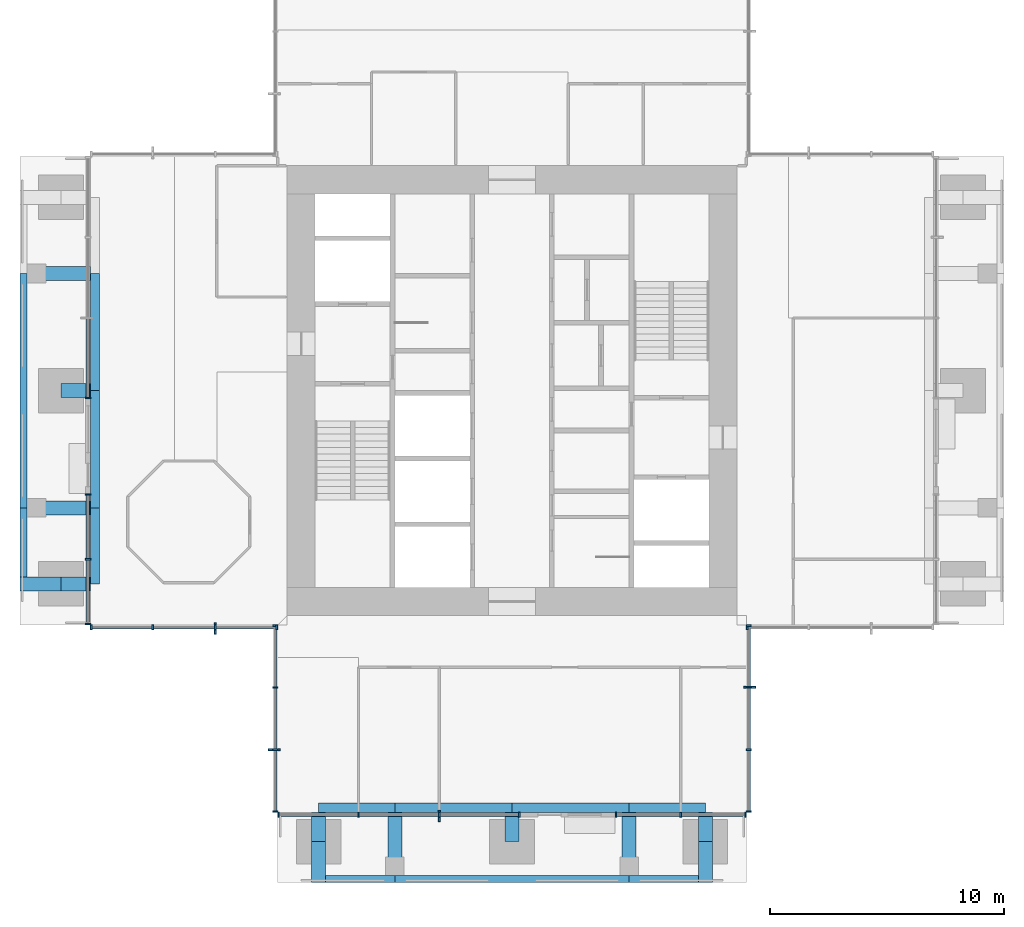
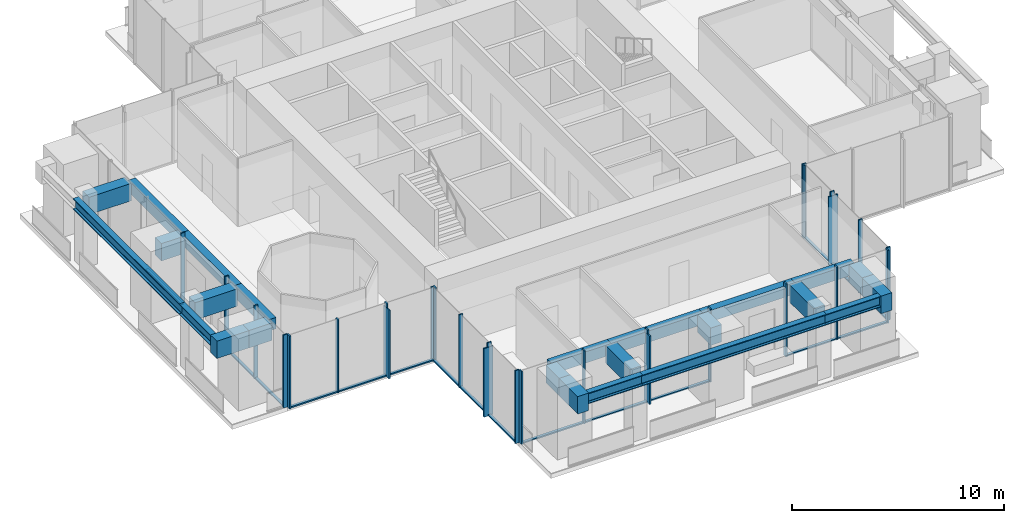
# One storey, part 2 of 12: 45 members, 24 beams, 8 elements without a shape of their own.
"""IFC4 building model written with IfcOpenShell, lengths in metres."""

from ifc_helpers import new_model, si_unit, direction, frame, origin, origin_2d, place, context, subcontext, project, spatial, rectangle, i_section, extrude, material, material_profile, profile_set, type_object, element, aggregate, save


model = new_model("IFC4")

# Units and contexts
model_context = context("Model", 3, precision=1e-05, world=origin(), true_north=direction((0.0, 1.0)))
body_context = subcontext(model_context, "Body", "Model", "MODEL_VIEW")
ifc_project = project(units=[si_unit("LENGTHUNIT", "METRE"), si_unit("AREAUNIT", "SQUARE_METRE"), si_unit("VOLUMEUNIT", "CUBIC_METRE"), si_unit("PLANEANGLEUNIT", "RADIAN"), si_unit("MASSUNIT", "GRAM", prefix="KILO")], contexts=[model_context])

# Site, building, storey
site_placement = place(None, origin())
site = spatial("IfcSite", under=ifc_project, at=site_placement, CompositionType="ELEMENT")
building_placement = place(site_placement, origin())
building = spatial("IfcBuilding", under=site, at=building_placement, Name="Svetlomir Tower", CompositionType="ELEMENT")
storey_placement = place(building_placement, frame((0.0, 0.0, 269.199951171875)))
storey = spatial("IfcBuildingStorey", under=building, at=storey_placement, Name="L64", CompositionType="ELEMENT", Elevation=269.199951171875)

# Curtain wall, member
ifc_material_1 = material(Name="Bronze anodised aluminium curtain wall", Category="aluminium")
curtain_wall_type = type_object("IfcCurtainWallType", Name="CURTAIN WALL CW4 EXECUTIVE", PredefinedType="NOTDEFINED", material=ifc_material_1)
curtain_wall_1_placement = place(storey_placement, origin())
curtain_wall_1 = element("IfcCurtainWall", 1, at=curtain_wall_1_placement, inside=storey, type_object=curtain_wall_type, Name="Curtain wall CW4 L64", PredefinedType="NOTDEFINED")
ifc_material_2 = material(Name="Bronze anodised aluminium", Category="aluminium")
ifc_material_profile_1 = material_profile(ifc_material_2, rectangle(XDim=0.080078125, YDim=0.5, at=origin_2d()), Name="FIN 80x500")
ifc_profile_set_1 = profile_set([ifc_material_profile_1], Name="Bronze anodised aluminium 6063-T6")
member_type_1 = type_object("IfcMemberType", Name="BRONZE FIN 80x500", PredefinedType="USERDEFINED", material=ifc_profile_set_1)
member_1_placement = place(storey_placement, frame((17.89990234375, 2.85009765625, 0.0), z_axis=(0.0, 0.0, 1.0), x_axis=(1.0, 0.0, 0.0)))
member_1 = element("IfcMember", 2, at=member_1_placement, type_object=member_type_1, Name="Bronze fin L64", ObjectType="FIN", PredefinedType="USERDEFINED", context=body_context, shape_type="SweptSolid", body=[
    extrude(rectangle(XDim=0.080078125, YDim=0.5, at=origin_2d()), origin(), (0.0, 0.0, 1.0), 3.949951171875),
])

curtain_wall_2_placement = place(storey_placement, origin())
curtain_wall_2 = element("IfcCurtainWall", 3, at=curtain_wall_2_placement, inside=storey, type_object=curtain_wall_type, Name="Curtain wall CW4 L64", PredefinedType="NOTDEFINED")
member_2_placement = place(storey_placement, frame((31.14990234375, 8.333251953125, 0.0), z_axis=(0.0, 0.0, 1.0), x_axis=(0.0, 1.0, 0.0)))
member_2 = element("IfcMember", 4, at=member_2_placement, type_object=member_type_1, Name="Bronze fin L64", ObjectType="FIN", PredefinedType="USERDEFINED", context=body_context, shape_type="SweptSolid", body=[
    extrude(rectangle(XDim=0.080078125, YDim=0.5, at=origin_2d()), origin(), (0.0, 0.0, 1.0), 3.949951171875),
])

curtain_wall_3_placement = place(storey_placement, origin())
curtain_wall_3 = element("IfcCurtainWall", 5, at=curtain_wall_3_placement, inside=storey, type_object=curtain_wall_type, Name="Curtain wall CW4 L64", PredefinedType="NOTDEFINED")
member_3_placement = place(storey_placement, frame((8.333251953125, 10.85009765625, 0.0), z_axis=(0.0, 0.0, 1.0), x_axis=(1.0, 0.0, 0.0)))
member_3 = element("IfcMember", 6, at=member_3_placement, type_object=member_type_1, Name="Bronze fin L64", ObjectType="FIN", PredefinedType="USERDEFINED", context=body_context, shape_type="SweptSolid", body=[
    extrude(rectangle(XDim=0.080078125, YDim=0.5, at=origin_2d()), origin(), (0.0, 0.0, 1.0), 3.949951171875),
])

curtain_wall_4_placement = place(storey_placement, origin())
curtain_wall_4 = element("IfcCurtainWall", 7, at=curtain_wall_4_placement, inside=storey, type_object=curtain_wall_type, Name="Curtain wall CW4 L64", PredefinedType="NOTDEFINED")
member_4_placement = place(storey_placement, frame((10.85009765625, 5.666748046875, 0.0), z_axis=(0.0, 0.0, 1.0), x_axis=(0.0, 1.0, 0.0)))
member_4 = element("IfcMember", 8, at=member_4_placement, type_object=member_type_1, Name="Bronze fin L64", ObjectType="FIN", PredefinedType="USERDEFINED", context=body_context, shape_type="SweptSolid", body=[
    extrude(rectangle(XDim=0.080078125, YDim=0.5, at=origin_2d()), origin(), (0.0, 0.0, 1.0), 3.949951171875),
])

# Member
ifc_material_3 = material(Name="Bronze anodised aluminium", Category="aluminium")
ifc_material_profile_2 = material_profile(ifc_material_3, rectangle(XDim=0.074951171875, YDim=0.219970703125, at=origin_2d()), Name="AL 75x220")
ifc_profile_set_2 = profile_set([ifc_material_profile_2], Name="Bronze anodised aluminium 6063-T6")
member_type_2 = type_object("IfcMemberType", Name="CW4 MULLION 75x220", PredefinedType="MULLION", material=ifc_profile_set_2)
member_5_placement = place(storey_placement, frame((11.03759765625, 2.89990234375, 0.0), z_axis=(0.0, 0.0, 1.0), x_axis=(1.0, 0.0, 0.0)))
member_5 = element("IfcMember", 9, at=member_5_placement, type_object=member_type_2, Name="CW4 mullion 1", PredefinedType="MULLION", context=body_context, shape_type="SweptSolid", body=[
    extrude(rectangle(XDim=0.074951171875, YDim=0.219970703125, at=origin_2d()), origin(), (0.0, 0.0, 1.0), 4.199951171875),
])

member_6_placement = place(storey_placement, frame((14.449951171875, 2.89990234375, 0.0), z_axis=(0.0, 0.0, 1.0), x_axis=(1.0, 0.0, 0.0)))
member_6 = element("IfcMember", 10, at=member_6_placement, type_object=member_type_2, Name="CW4 mullion 2", PredefinedType="MULLION", context=body_context, shape_type="SweptSolid", body=[
    extrude(rectangle(XDim=0.074951171875, YDim=0.219970703125, at=origin_2d()), origin(), (0.0, 0.0, 1.0), 4.199951171875),
])

member_7_placement = place(storey_placement, frame((17.89990234375, 2.89990234375, 0.0), z_axis=(0.0, 0.0, 1.0), x_axis=(1.0, 0.0, 0.0)))
member_7 = element("IfcMember", 11, at=member_7_placement, type_object=member_type_2, Name="CW4 mullion 3", PredefinedType="MULLION", context=body_context, shape_type="SweptSolid", body=[
    extrude(rectangle(XDim=0.074951171875, YDim=0.219970703125, at=origin_2d()), origin(), (0.0, 0.0, 1.0), 4.199951171875),
])

member_8_placement = place(storey_placement, frame((21.3125, 2.89990234375, 0.0), z_axis=(0.0, 0.0, 1.0), x_axis=(1.0, 0.0, 0.0)))
member_8 = element("IfcMember", 12, at=member_8_placement, type_object=member_type_2, Name="CW4 mullion 4", PredefinedType="MULLION", context=body_context, shape_type="SweptSolid", body=[
    extrude(rectangle(XDim=0.074951171875, YDim=0.219970703125, at=origin_2d()), origin(), (0.0, 0.0, 1.0), 4.199951171875),
])

# Curtain wall, members
curtain_wall_5_placement = place(storey_placement, origin())
curtain_wall_5 = element("IfcCurtainWall", 13, at=curtain_wall_5_placement, inside=storey, type_object=curtain_wall_type, Name="Curtain wall CW4 L64", PredefinedType="NOTDEFINED")
member_9_placement = place(storey_placement, frame((25.4375, 2.89990234375, 0.0), z_axis=(0.0, 0.0, 1.0), x_axis=(1.0, 0.0, 0.0)))
member_9 = element("IfcMember", 14, at=member_9_placement, type_object=member_type_2, Name="CW4 mullion 1", PredefinedType="MULLION", context=body_context, shape_type="SweptSolid", body=[
    extrude(rectangle(XDim=0.074951171875, YDim=0.219970703125, at=origin_2d()), origin(), (0.0, 0.0, 1.0), 4.199951171875),
])
member_10_placement = place(storey_placement, frame((28.199951171875, 2.89990234375, 0.0), z_axis=(0.0, 0.0, 1.0), x_axis=(1.0, 0.0, 0.0)))
member_10 = element("IfcMember", 15, at=member_10_placement, type_object=member_type_2, Name="CW4 mullion 2", PredefinedType="MULLION", context=body_context, shape_type="SweptSolid", body=[
    extrude(rectangle(XDim=0.074951171875, YDim=0.219970703125, at=origin_2d()), origin(), (0.0, 0.0, 1.0), 4.199951171875),
])
member_11_placement = place(storey_placement, frame((30.96240234375, 2.89990234375, 0.0), z_axis=(0.0, 0.0, 1.0), x_axis=(1.0, 0.0, 0.0)))
member_11 = element("IfcMember", 16, at=member_11_placement, type_object=member_type_2, Name="CW4 mullion 3", PredefinedType="MULLION", context=body_context, shape_type="SweptSolid", body=[
    extrude(rectangle(XDim=0.074951171875, YDim=0.219970703125, at=origin_2d()), origin(), (0.0, 0.0, 1.0), 4.199951171875),
])

# Member
member_12_placement = place(storey_placement, frame((31.10009765625, 3.03759765625, 0.0), z_axis=(0.0, 0.0, 1.0), x_axis=(0.0, 1.0, 0.0)))
member_12 = element("IfcMember", 17, at=member_12_placement, type_object=member_type_2, Name="CW4 mullion 1", PredefinedType="MULLION", context=body_context, shape_type="SweptSolid", body=[
    extrude(rectangle(XDim=0.074951171875, YDim=0.219970703125, at=origin_2d()), origin(), (0.0, 0.0, 1.0), 4.199951171875),
])

member_13_placement = place(storey_placement, frame((31.10009765625, 5.666748046875, 0.0), z_axis=(0.0, 0.0, 1.0), x_axis=(0.0, 1.0, 0.0)))
member_13 = element("IfcMember", 18, at=member_13_placement, type_object=member_type_2, Name="CW4 mullion 2", PredefinedType="MULLION", context=body_context, shape_type="SweptSolid", body=[
    extrude(rectangle(XDim=0.074951171875, YDim=0.219970703125, at=origin_2d()), origin(), (0.0, 0.0, 1.0), 4.199951171875),
])

member_14_placement = place(storey_placement, frame((31.10009765625, 8.333251953125, 0.0), z_axis=(0.0, 0.0, 1.0), x_axis=(0.0, 1.0, 0.0)))
member_14 = element("IfcMember", 19, at=member_14_placement, type_object=member_type_2, Name="CW4 mullion 3", PredefinedType="MULLION", context=body_context, shape_type="SweptSolid", body=[
    extrude(rectangle(XDim=0.074951171875, YDim=0.219970703125, at=origin_2d()), origin(), (0.0, 0.0, 1.0), 4.199951171875),
])

member_15_placement = place(storey_placement, frame((31.10009765625, 10.96240234375, 0.0), z_axis=(0.0, 0.0, 1.0), x_axis=(0.0, 1.0, 0.0)))
member_15 = element("IfcMember", 20, at=member_15_placement, type_object=member_type_2, Name="CW4 mullion 4", PredefinedType="MULLION", context=body_context, shape_type="SweptSolid", body=[
    extrude(rectangle(XDim=0.074951171875, YDim=0.219970703125, at=origin_2d()), origin(), (0.0, 0.0, 1.0), 4.199951171875),
])

# Curtain wall, member
curtain_wall_6_placement = place(storey_placement, origin())
curtain_wall_6 = element("IfcCurtainWall", 21, at=curtain_wall_6_placement, inside=storey, type_object=curtain_wall_type, Name="Curtain wall CW4 L64", PredefinedType="NOTDEFINED")
member_16_placement = place(storey_placement, frame((31.03759765625, 10.89990234375, 0.0), z_axis=(0.0, 0.0, 1.0), x_axis=(1.0, 0.0, 0.0)))
member_16 = element("IfcMember", 22, at=member_16_placement, type_object=member_type_2, Name="CW4 mullion 1", PredefinedType="MULLION", context=body_context, shape_type="SweptSolid", body=[
    extrude(rectangle(XDim=0.074951171875, YDim=0.219970703125, at=origin_2d()), origin(), (0.0, 0.0, 1.0), 4.199951171875),
])
aggregate(curtain_wall_6, [member_16])

curtain_wall_7_placement = place(storey_placement, origin())
curtain_wall_7 = element("IfcCurtainWall", 23, at=curtain_wall_7_placement, inside=storey, type_object=curtain_wall_type, Name="Curtain wall CW4 L64", PredefinedType="NOTDEFINED")
member_17_placement = place(storey_placement, frame((2.89990234375, 20.6875, 0.0), z_axis=(0.0, 0.0, 1.0), x_axis=(0.0, -1.0, 0.0)))
member_17 = element("IfcMember", 24, at=member_17_placement, type_object=member_type_2, Name="CW4 mullion 4", PredefinedType="MULLION", context=body_context, shape_type="SweptSolid", body=[
    extrude(rectangle(XDim=0.074951171875, YDim=0.219970703125, at=origin_2d()), origin(), (0.0, 0.0, 1.0), 4.199951171875),
])

# Curtain wall, members
curtain_wall_8_placement = place(storey_placement, origin())
curtain_wall_8 = element("IfcCurtainWall", 25, at=curtain_wall_8_placement, inside=storey, type_object=curtain_wall_type, Name="Curtain wall CW4 L64", PredefinedType="NOTDEFINED")
member_18_placement = place(storey_placement, frame((2.89990234375, 16.5625, 0.0), z_axis=(0.0, 0.0, 1.0), x_axis=(0.0, -1.0, 0.0)))
member_18 = element("IfcMember", 26, at=member_18_placement, type_object=member_type_2, Name="CW4 mullion 1", PredefinedType="MULLION", context=body_context, shape_type="SweptSolid", body=[
    extrude(rectangle(XDim=0.074951171875, YDim=0.219970703125, at=origin_2d()), origin(), (0.0, 0.0, 1.0), 4.199951171875),
])
member_19_placement = place(storey_placement, frame((2.89990234375, 13.800048828125, 0.0), z_axis=(0.0, 0.0, 1.0), x_axis=(0.0, -1.0, 0.0)))
member_19 = element("IfcMember", 27, at=member_19_placement, type_object=member_type_2, Name="CW4 mullion 2", PredefinedType="MULLION", context=body_context, shape_type="SweptSolid", body=[
    extrude(rectangle(XDim=0.074951171875, YDim=0.219970703125, at=origin_2d()), origin(), (0.0, 0.0, 1.0), 4.199951171875),
])
member_20_placement = place(storey_placement, frame((2.89990234375, 11.03759765625, 0.0), z_axis=(0.0, 0.0, 1.0), x_axis=(0.0, -1.0, 0.0)))
member_20 = element("IfcMember", 28, at=member_20_placement, type_object=member_type_2, Name="CW4 mullion 3", PredefinedType="MULLION", context=body_context, shape_type="SweptSolid", body=[
    extrude(rectangle(XDim=0.074951171875, YDim=0.219970703125, at=origin_2d()), origin(), (0.0, 0.0, 1.0), 4.199951171875),
])

# Member
member_21_placement = place(storey_placement, frame((3.03759765625, 10.89990234375, 0.0), z_axis=(0.0, 0.0, 1.0), x_axis=(1.0, 0.0, 0.0)))
member_21 = element("IfcMember", 29, at=member_21_placement, type_object=member_type_2, Name="CW4 mullion 1", PredefinedType="MULLION", context=body_context, shape_type="SweptSolid", body=[
    extrude(rectangle(XDim=0.074951171875, YDim=0.219970703125, at=origin_2d()), origin(), (0.0, 0.0, 1.0), 4.199951171875),
])

member_22_placement = place(storey_placement, frame((5.666748046875, 10.89990234375, 0.0), z_axis=(0.0, 0.0, 1.0), x_axis=(1.0, 0.0, 0.0)))
member_22 = element("IfcMember", 30, at=member_22_placement, type_object=member_type_2, Name="CW4 mullion 2", PredefinedType="MULLION", context=body_context, shape_type="SweptSolid", body=[
    extrude(rectangle(XDim=0.074951171875, YDim=0.219970703125, at=origin_2d()), origin(), (0.0, 0.0, 1.0), 4.199951171875),
])

member_23_placement = place(storey_placement, frame((8.333251953125, 10.89990234375, 0.0), z_axis=(0.0, 0.0, 1.0), x_axis=(1.0, 0.0, 0.0)))
member_23 = element("IfcMember", 31, at=member_23_placement, type_object=member_type_2, Name="CW4 mullion 3", PredefinedType="MULLION", context=body_context, shape_type="SweptSolid", body=[
    extrude(rectangle(XDim=0.074951171875, YDim=0.219970703125, at=origin_2d()), origin(), (0.0, 0.0, 1.0), 4.199951171875),
])

member_24_placement = place(storey_placement, frame((10.96240234375, 10.89990234375, 0.0), z_axis=(0.0, 0.0, 1.0), x_axis=(1.0, 0.0, 0.0)))
member_24 = element("IfcMember", 32, at=member_24_placement, type_object=member_type_2, Name="CW4 mullion 4", PredefinedType="MULLION", context=body_context, shape_type="SweptSolid", body=[
    extrude(rectangle(XDim=0.074951171875, YDim=0.219970703125, at=origin_2d()), origin(), (0.0, 0.0, 1.0), 4.199951171875),
])

member_25_placement = place(storey_placement, frame((10.89990234375, 10.96240234375, 0.0), z_axis=(0.0, 0.0, 1.0), x_axis=(0.0, -1.0, 0.0)))
member_25 = element("IfcMember", 33, at=member_25_placement, type_object=member_type_2, Name="CW4 mullion 1", PredefinedType="MULLION", context=body_context, shape_type="SweptSolid", body=[
    extrude(rectangle(XDim=0.074951171875, YDim=0.219970703125, at=origin_2d()), origin(), (0.0, 0.0, 1.0), 4.199951171875),
])

member_26_placement = place(storey_placement, frame((10.89990234375, 8.333251953125, 0.0), z_axis=(0.0, 0.0, 1.0), x_axis=(0.0, -1.0, 0.0)))
member_26 = element("IfcMember", 34, at=member_26_placement, type_object=member_type_2, Name="CW4 mullion 2", PredefinedType="MULLION", context=body_context, shape_type="SweptSolid", body=[
    extrude(rectangle(XDim=0.074951171875, YDim=0.219970703125, at=origin_2d()), origin(), (0.0, 0.0, 1.0), 4.199951171875),
])

member_27_placement = place(storey_placement, frame((10.89990234375, 5.666748046875, 0.0), z_axis=(0.0, 0.0, 1.0), x_axis=(0.0, -1.0, 0.0)))
member_27 = element("IfcMember", 35, at=member_27_placement, type_object=member_type_2, Name="CW4 mullion 3", PredefinedType="MULLION", context=body_context, shape_type="SweptSolid", body=[
    extrude(rectangle(XDim=0.074951171875, YDim=0.219970703125, at=origin_2d()), origin(), (0.0, 0.0, 1.0), 4.199951171875),
])

member_28_placement = place(storey_placement, frame((10.89990234375, 3.03759765625, 0.0), z_axis=(0.0, 0.0, 1.0), x_axis=(0.0, -1.0, 0.0)))
member_28 = element("IfcMember", 36, at=member_28_placement, type_object=member_type_2, Name="CW4 mullion 4", PredefinedType="MULLION", context=body_context, shape_type="SweptSolid", body=[
    extrude(rectangle(XDim=0.074951171875, YDim=0.219970703125, at=origin_2d()), origin(), (0.0, 0.0, 1.0), 4.199951171875),
])

ifc_material_4 = material(Name="Bronze anodised aluminium", Category="aluminium")
ifc_material_profile_3 = material_profile(ifc_material_4, rectangle(XDim=0.14990234375, YDim=0.074951171875, at=origin_2d()), Name="AL 150x75")
ifc_profile_set_3 = profile_set([ifc_material_profile_3], Name="Bronze anodised aluminium 6063-T6")
member_type_3 = type_object("IfcMemberType", Name="CW4 TRANSOM 75x150", PredefinedType="USERDEFINED", material=ifc_profile_set_3)
member_29_placement = place(storey_placement, frame((11.074951171875, 2.89990234375, 0.03759765625), z_axis=(1.0, 0.0, 0.0), x_axis=(0.0, 1.0, 0.0)))
member_29 = element("IfcMember", 37, at=member_29_placement, type_object=member_type_3, Name="CW4 transom 1.1", ObjectType="TRANSOM", PredefinedType="USERDEFINED", context=body_context, shape_type="SweptSolid", body=[
    extrude(rectangle(XDim=0.14990234375, YDim=0.074951171875, at=origin_2d()), origin(), (0.0, 0.0, 1.0), 3.337646484375),
])

member_30_placement = place(storey_placement, frame((14.487548828125, 2.89990234375, 0.03759765625), z_axis=(1.0, 0.0, 0.0), x_axis=(0.0, 1.0, 0.0)))
member_30 = element("IfcMember", 38, at=member_30_placement, type_object=member_type_3, Name="CW4 transom 2.1", ObjectType="TRANSOM", PredefinedType="USERDEFINED", context=body_context, shape_type="SweptSolid", body=[
    extrude(rectangle(XDim=0.14990234375, YDim=0.074951171875, at=origin_2d()), origin(), (0.0, 0.0, 1.0), 3.375),
])

member_31_placement = place(storey_placement, frame((17.9375, 2.89990234375, 0.03759765625), z_axis=(1.0, 0.0, 0.0), x_axis=(0.0, 1.0, 0.0)))
member_31 = element("IfcMember", 39, at=member_31_placement, type_object=member_type_3, Name="CW4 transom 3.1", ObjectType="TRANSOM", PredefinedType="USERDEFINED", context=body_context, shape_type="SweptSolid", body=[
    extrude(rectangle(XDim=0.14990234375, YDim=0.074951171875, at=origin_2d()), origin(), (0.0, 0.0, 1.0), 3.33740234375),
])

aggregate(curtain_wall_1, [member_5, member_6, member_7, member_8, member_29, member_30, member_31, member_1])

member_32_placement = place(storey_placement, frame((25.47509765625, 2.89990234375, 0.03759765625), z_axis=(1.0, 0.0, 0.0), x_axis=(0.0, 1.0, 0.0)))
member_32 = element("IfcMember", 40, at=member_32_placement, type_object=member_type_3, Name="CW4 transom 1.1", ObjectType="TRANSOM", PredefinedType="USERDEFINED", context=body_context, shape_type="SweptSolid", body=[
    extrude(rectangle(XDim=0.14990234375, YDim=0.074951171875, at=origin_2d()), origin(), (0.0, 0.0, 1.0), 2.6875),
])

member_33_placement = place(storey_placement, frame((28.237548828125, 2.89990234375, 0.03759765625), z_axis=(1.0, 0.0, 0.0), x_axis=(0.0, 1.0, 0.0)))
member_33 = element("IfcMember", 41, at=member_33_placement, type_object=member_type_3, Name="CW4 transom 2.1", ObjectType="TRANSOM", PredefinedType="USERDEFINED", context=body_context, shape_type="SweptSolid", body=[
    extrude(rectangle(XDim=0.14990234375, YDim=0.074951171875, at=origin_2d()), origin(), (0.0, 0.0, 1.0), 2.6875),
])

aggregate(curtain_wall_5, [member_9, member_10, member_11, member_32, member_33])

member_34_placement = place(storey_placement, frame((31.10009765625, 3.074951171875, 0.03759765625), z_axis=(0.0, 1.0, 0.0), x_axis=(-1.0, 0.0, 0.0)))
member_34 = element("IfcMember", 42, at=member_34_placement, type_object=member_type_3, Name="CW4 transom 1.1", ObjectType="TRANSOM", PredefinedType="USERDEFINED", context=body_context, shape_type="SweptSolid", body=[
    extrude(rectangle(XDim=0.14990234375, YDim=0.074951171875, at=origin_2d()), origin(), (0.0, 0.0, 1.0), 2.55419921875),
])

member_35_placement = place(storey_placement, frame((31.10009765625, 5.7041015625, 0.03759765625), z_axis=(0.0, 1.0, 0.0), x_axis=(-1.0, 0.0, 0.0)))
member_35 = element("IfcMember", 43, at=member_35_placement, type_object=member_type_3, Name="CW4 transom 2.1", ObjectType="TRANSOM", PredefinedType="USERDEFINED", context=body_context, shape_type="SweptSolid", body=[
    extrude(rectangle(XDim=0.14990234375, YDim=0.074951171875, at=origin_2d()), origin(), (0.0, 0.0, 1.0), 2.591796875),
])

member_36_placement = place(storey_placement, frame((31.10009765625, 8.370849609375, 0.03759765625), z_axis=(0.0, 1.0, 0.0), x_axis=(-1.0, 0.0, 0.0)))
member_36 = element("IfcMember", 44, at=member_36_placement, type_object=member_type_3, Name="CW4 transom 3.1", ObjectType="TRANSOM", PredefinedType="USERDEFINED", context=body_context, shape_type="SweptSolid", body=[
    extrude(rectangle(XDim=0.14990234375, YDim=0.074951171875, at=origin_2d()), origin(), (0.0, 0.0, 1.0), 2.55419921875),
])

aggregate(curtain_wall_2, [member_12, member_13, member_14, member_15, member_34, member_35, member_36, member_2])

member_37_placement = place(storey_placement, frame((2.89990234375, 24.0625, 0.03759765625), z_axis=(0.0, -1.0, 0.0), x_axis=(1.0, 0.0, 0.0)))
member_37 = element("IfcMember", 45, at=member_37_placement, type_object=member_type_3, Name="CW4 transom 3.1", ObjectType="TRANSOM", PredefinedType="USERDEFINED", context=body_context, shape_type="SweptSolid", body=[
    extrude(rectangle(XDim=0.14990234375, YDim=0.074951171875, at=origin_2d()), origin(), (0.0, 0.0, 1.0), 3.33740234375),
])

aggregate(curtain_wall_7, [member_17, member_37])

member_38_placement = place(storey_placement, frame((2.89990234375, 16.52490234375, 0.03759765625), z_axis=(0.0, -1.0, 0.0), x_axis=(1.0, 0.0, 0.0)))
member_38 = element("IfcMember", 46, at=member_38_placement, type_object=member_type_3, Name="CW4 transom 1.1", ObjectType="TRANSOM", PredefinedType="USERDEFINED", context=body_context, shape_type="SweptSolid", body=[
    extrude(rectangle(XDim=0.14990234375, YDim=0.074951171875, at=origin_2d()), origin(), (0.0, 0.0, 1.0), 2.6875),
])

member_39_placement = place(storey_placement, frame((2.89990234375, 13.762451171875, 0.03759765625), z_axis=(0.0, -1.0, 0.0), x_axis=(1.0, 0.0, 0.0)))
member_39 = element("IfcMember", 47, at=member_39_placement, type_object=member_type_3, Name="CW4 transom 2.1", ObjectType="TRANSOM", PredefinedType="USERDEFINED", context=body_context, shape_type="SweptSolid", body=[
    extrude(rectangle(XDim=0.14990234375, YDim=0.074951171875, at=origin_2d()), origin(), (0.0, 0.0, 1.0), 2.6875),
])

aggregate(curtain_wall_8, [member_18, member_19, member_20, member_38, member_39])

member_40_placement = place(storey_placement, frame((3.074951171875, 10.89990234375, 0.03759765625), z_axis=(1.0, 0.0, 0.0), x_axis=(0.0, 1.0, 0.0)))
member_40 = element("IfcMember", 48, at=member_40_placement, type_object=member_type_3, Name="CW4 transom 1.1", ObjectType="TRANSOM", PredefinedType="USERDEFINED", context=body_context, shape_type="SweptSolid", body=[
    extrude(rectangle(XDim=0.14990234375, YDim=0.074951171875, at=origin_2d()), origin(), (0.0, 0.0, 1.0), 2.55419921875),
])

member_41_placement = place(storey_placement, frame((5.7041015625, 10.89990234375, 0.03759765625), z_axis=(1.0, 0.0, 0.0), x_axis=(0.0, 1.0, 0.0)))
member_41 = element("IfcMember", 49, at=member_41_placement, type_object=member_type_3, Name="CW4 transom 2.1", ObjectType="TRANSOM", PredefinedType="USERDEFINED", context=body_context, shape_type="SweptSolid", body=[
    extrude(rectangle(XDim=0.14990234375, YDim=0.074951171875, at=origin_2d()), origin(), (0.0, 0.0, 1.0), 2.591796875),
])

member_42_placement = place(storey_placement, frame((8.370849609375, 10.89990234375, 0.03759765625), z_axis=(1.0, 0.0, 0.0), x_axis=(0.0, 1.0, 0.0)))
member_42 = element("IfcMember", 50, at=member_42_placement, type_object=member_type_3, Name="CW4 transom 3.1", ObjectType="TRANSOM", PredefinedType="USERDEFINED", context=body_context, shape_type="SweptSolid", body=[
    extrude(rectangle(XDim=0.14990234375, YDim=0.074951171875, at=origin_2d()), origin(), (0.0, 0.0, 1.0), 2.55419921875),
])

aggregate(curtain_wall_3, [member_21, member_22, member_23, member_24, member_40, member_41, member_42, member_3])

member_43_placement = place(storey_placement, frame((10.89990234375, 10.925048828125, 0.03759765625), z_axis=(0.0, -1.0, 0.0), x_axis=(1.0, 0.0, 0.0)))
member_43 = element("IfcMember", 51, at=member_43_placement, type_object=member_type_3, Name="CW4 transom 1.1", ObjectType="TRANSOM", PredefinedType="USERDEFINED", context=body_context, shape_type="SweptSolid", body=[
    extrude(rectangle(XDim=0.14990234375, YDim=0.074951171875, at=origin_2d()), origin(), (0.0, 0.0, 1.0), 2.55419921875),
])

member_44_placement = place(storey_placement, frame((10.89990234375, 8.2958984375, 0.03759765625), z_axis=(0.0, -1.0, 0.0), x_axis=(1.0, 0.0, 0.0)))
member_44 = element("IfcMember", 52, at=member_44_placement, type_object=member_type_3, Name="CW4 transom 2.1", ObjectType="TRANSOM", PredefinedType="USERDEFINED", context=body_context, shape_type="SweptSolid", body=[
    extrude(rectangle(XDim=0.14990234375, YDim=0.074951171875, at=origin_2d()), origin(), (0.0, 0.0, 1.0), 2.591796875),
])

member_45_placement = place(storey_placement, frame((10.89990234375, 5.629150390625, 0.03759765625), z_axis=(0.0, -1.0, 0.0), x_axis=(1.0, 0.0, 0.0)))
member_45 = element("IfcMember", 53, at=member_45_placement, type_object=member_type_3, Name="CW4 transom 3.1", ObjectType="TRANSOM", PredefinedType="USERDEFINED", context=body_context, shape_type="SweptSolid", body=[
    extrude(rectangle(XDim=0.14990234375, YDim=0.074951171875, at=origin_2d()), origin(), (0.0, 0.0, 1.0), 2.55419921875),
])

aggregate(curtain_wall_4, [member_25, member_26, member_27, member_28, member_43, member_44, member_45, member_4])

# Beams
ifc_material_5 = material(Name="Steel S355", Category="steel")
ifc_material_profile_4 = material_profile(ifc_material_5, i_section(OverallWidth=0.304931640625, OverallDepth=0.6201171875, WebThickness=0.02099609375, FlangeThickness=0.0400390625, FilletRadius=0.027099609375, at=origin_2d()), Name="HEM 600")
ifc_profile_set_4 = profile_set([ifc_material_profile_4], Name="Steel S355")
beam_type_1 = type_object("IfcBeamType", Name="EDGE BEAM HEM 600", PredefinedType="SPANDREL", material=ifc_profile_set_4)
for number, where, z_axis, x_axis, name in (
    (54, (13.050048828125, 0.152587890625, 3.64013671875), (1.0, 0.0, 0.0), (0.0, 1.0, 0.0), "Edge beam 11/0 to 16/0 under L65"),
    (55, (0.152587890625, 13.050048828125, 3.64013671875), (0.0, 1.0, 0.0), (-1.0, 0.0, 0.0), "Edge beam 0/11 to 0/16 under L65"),
):
    element("IfcBeam", number, at=place(storey_placement, frame(where, z_axis=z_axis, x_axis=x_axis)), inside=storey, type_object=beam_type_1, Name=name, PredefinedType="SPANDREL", context=body_context, shape_type="SweptSolid", body=[
        extrude(i_section(OverallWidth=0.304931640625, OverallDepth=0.6201171875, WebThickness=0.02099609375, FlangeThickness=0.0400390625, FilletRadius=0.027099609375, at=origin_2d()), origin(), (0.0, 0.0, 1.0), 2.949951171875),
    ])
for number, where, z_axis, x_axis, name in (
    (56, (16.0, 0.152587890625, 3.64013671875), (1.0, 0.0, 0.0), (0.0, 1.0, 0.0), "Edge beam 16/0 to 26/0 under L65"),
    (57, (0.152587890625, 16.0, 3.64013671875), (0.0, 1.0, 0.0), (-1.0, 0.0, 0.0), "Edge beam 0/16 to 0/26 under L65"),
):
    element("IfcBeam", number, at=place(storey_placement, frame(where, z_axis=z_axis, x_axis=x_axis)), inside=storey, type_object=beam_type_1, Name=name, PredefinedType="SPANDREL", context=body_context, shape_type="SweptSolid", body=[
        extrude(i_section(OverallWidth=0.304931640625, OverallDepth=0.6201171875, WebThickness=0.02099609375, FlangeThickness=0.0400390625, FilletRadius=0.027099609375, at=origin_2d()), origin(), (0.0, 0.0, 1.0), 10.0),
    ])
beam_1_placement = place(storey_placement, frame((26.0, 0.152587890625, 3.64013671875), z_axis=(1.0, 0.0, 0.0), x_axis=(0.0, 1.0, 0.0)))
element("IfcBeam", 58, at=beam_1_placement, inside=storey, type_object=beam_type_1, Name="Edge beam 26/0 to 31/0 under L65", PredefinedType="SPANDREL", context=body_context, shape_type="SweptSolid", body=[
    extrude(i_section(OverallWidth=0.304931640625, OverallDepth=0.6201171875, WebThickness=0.02099609375, FlangeThickness=0.0400390625, FilletRadius=0.027099609375, at=origin_2d()), origin(), (0.0, 0.0, 1.0), 2.949951171875),
])
ifc_material_6 = material(Name="Concrete C60/75", Category="concrete")
ifc_material_profile_5 = material_profile(ifc_material_6, rectangle(XDim=0.60009765625, YDim=1.0, at=origin_2d()), Name="RC 600x1000")
ifc_profile_set_5 = profile_set([ifc_material_profile_5], Name="Concrete C60/75")
beam_type_2 = type_object("IfcBeamType", Name="EDGE LINK BEAM RC 600x1000", PredefinedType="BEAM", material=ifc_profile_set_5)
for number, where, z_axis, x_axis, name in (
    (59, (1.75, 12.75, 3.449951171875), (-1.0, 0.0, 0.0), (0.0, -1.0, 0.0), "Edge link beam W 0/11 under L65"),
    (60, (12.75, 1.75, 3.449951171875), (0.0, -1.0, 0.0), (1.0, 0.0, 0.0), "Edge link beam S 11/0 under L65"),
    (61, (29.25, 1.75, 3.449951171875), (0.0, -1.0, 0.0), (1.0, 0.0, 0.0), "Edge link beam S 31/0 under L65"),
):
    element("IfcBeam", number, at=place(storey_placement, frame(where, z_axis=z_axis, x_axis=x_axis)), inside=storey, type_object=beam_type_2, Name=name, PredefinedType="BEAM", context=body_context, shape_type="SweptSolid", body=[
        extrude(rectangle(XDim=0.60009765625, YDim=1.0, at=origin_2d()), origin(), (0.0, 0.0, 1.0), 1.75),
    ])
ifc_material_7 = material(Name="Concrete C60/75", Category="concrete")
ifc_material_profile_6 = material_profile(ifc_material_7, rectangle(XDim=0.39990234375, YDim=0.64990234375, at=origin_2d()), Name="RC 400x650")
ifc_profile_set_6 = profile_set([ifc_material_profile_6], Name="Concrete C60/75")
beam_type_3 = type_object("IfcBeamType", Name="FACADE EDGE BEAM RC 400x650", PredefinedType="BEAM", material=ifc_profile_set_6)
beam_2_placement = place(storey_placement, frame((12.75, 3.199951171875, 3.625), z_axis=(1.0, 0.0, 0.0), x_axis=(0.0, 1.0, 0.0)))
element("IfcBeam", 62, at=beam_2_placement, inside=storey, type_object=beam_type_3, Name="Facade edge beam S 11 to 16 under L65", PredefinedType="BEAM", context=body_context, shape_type="SweptSolid", body=[
    extrude(rectangle(XDim=0.39990234375, YDim=0.64990234375, at=origin_2d()), origin(), (0.0, 0.0, 1.0), 3.25),
])
for number, where, z_axis, x_axis, name in (
    (63, (16.0, 3.199951171875, 3.625), (1.0, 0.0, 0.0), (0.0, 1.0, 0.0), "Facade edge beam S 16 to 21 under L65"),
    (64, (21.0, 3.199951171875, 3.625), (1.0, 0.0, 0.0), (0.0, 1.0, 0.0), "Facade edge beam S 21 to 26 under L65"),
):
    element("IfcBeam", number, at=place(storey_placement, frame(where, z_axis=z_axis, x_axis=x_axis)), inside=storey, type_object=beam_type_3, Name=name, PredefinedType="BEAM", context=body_context, shape_type="SweptSolid", body=[
        extrude(rectangle(XDim=0.39990234375, YDim=0.64990234375, at=origin_2d()), origin(), (0.0, 0.0, 1.0), 5.0),
    ])
for number, where, z_axis, x_axis, name in (
    (65, (26.0, 3.199951171875, 3.625), (1.0, 0.0, 0.0), (0.0, 1.0, 0.0), "Facade edge beam S 26 to 31 under L65"),
    (66, (3.199951171875, 12.75, 3.625), (0.0, 1.0, 0.0), (-1.0, 0.0, 0.0), "Facade edge beam W 11 to 16 under L65"),
):
    element("IfcBeam", number, at=place(storey_placement, frame(where, z_axis=z_axis, x_axis=x_axis)), inside=storey, type_object=beam_type_3, Name=name, PredefinedType="BEAM", context=body_context, shape_type="SweptSolid", body=[
        extrude(rectangle(XDim=0.39990234375, YDim=0.64990234375, at=origin_2d()), origin(), (0.0, 0.0, 1.0), 3.25),
    ])
for number, where, z_axis, x_axis, name in (
    (67, (3.199951171875, 16.0, 3.625), (0.0, 1.0, 0.0), (-1.0, 0.0, 0.0), "Facade edge beam W 16 to 21 under L65"),
    (68, (3.199951171875, 21.0, 3.625), (0.0, 1.0, 0.0), (-1.0, 0.0, 0.0), "Facade edge beam W 21 to 26 under L65"),
):
    element("IfcBeam", number, at=place(storey_placement, frame(where, z_axis=z_axis, x_axis=x_axis)), inside=storey, type_object=beam_type_3, Name=name, PredefinedType="BEAM", context=body_context, shape_type="SweptSolid", body=[
        extrude(rectangle(XDim=0.39990234375, YDim=0.64990234375, at=origin_2d()), origin(), (0.0, 0.0, 1.0), 5.0),
    ])
ifc_material_8 = material(Name="Concrete C60/75", Category="concrete")
ifc_material_profile_7 = material_profile(ifc_material_8, rectangle(XDim=0.60009765625, YDim=1.0, at=origin_2d()), Name="RC 600x1000")
ifc_profile_set_7 = profile_set([ifc_material_profile_7], Name="Concrete C60/75")
beam_type_4 = type_object("IfcBeamType", Name="LOGGIA LINK BEAM RC 600x1000", PredefinedType="BEAM", material=ifc_profile_set_7)
beam_3_placement = place(storey_placement, frame((12.75, 1.75, 3.449951171875), z_axis=(0.0, 1.0, 0.0), x_axis=(-1.0, 0.0, 0.0)))
element("IfcBeam", 69, at=beam_3_placement, inside=storey, type_object=beam_type_4, Name="Loggia link beam S 11 under L65", PredefinedType="BEAM", context=body_context, shape_type="SweptSolid", body=[
    extrude(rectangle(XDim=0.60009765625, YDim=1.0, at=origin_2d()), origin(), (0.0, 0.0, 1.0), 1.25),
])
beam_4_placement = place(storey_placement, frame((16.0, 0.699951171875, 3.449951171875), z_axis=(0.0, 1.0, 0.0), x_axis=(-1.0, 0.0, 0.0)))
element("IfcBeam", 70, at=beam_4_placement, inside=storey, type_object=beam_type_4, Name="Loggia link beam S 16 under L65", PredefinedType="BEAM", context=body_context, shape_type="SweptSolid", body=[
    extrude(rectangle(XDim=0.60009765625, YDim=1.0, at=origin_2d()), origin(), (0.0, 0.0, 1.0), 2.300048828125),
])
beam_5_placement = place(storey_placement, frame((21.0, 1.75, 3.449951171875), z_axis=(0.0, 1.0, 0.0), x_axis=(-1.0, 0.0, 0.0)))
element("IfcBeam", 71, at=beam_5_placement, inside=storey, type_object=beam_type_4, Name="Loggia link beam S 21 under L65", PredefinedType="BEAM", context=body_context, shape_type="SweptSolid", body=[
    extrude(rectangle(XDim=0.60009765625, YDim=1.0, at=origin_2d()), origin(), (0.0, 0.0, 1.0), 1.25),
])
beam_6_placement = place(storey_placement, frame((26.0, 0.699951171875, 3.449951171875), z_axis=(0.0, 1.0, 0.0), x_axis=(-1.0, 0.0, 0.0)))
element("IfcBeam", 72, at=beam_6_placement, inside=storey, type_object=beam_type_4, Name="Loggia link beam S 26 under L65", PredefinedType="BEAM", context=body_context, shape_type="SweptSolid", body=[
    extrude(rectangle(XDim=0.60009765625, YDim=1.0, at=origin_2d()), origin(), (0.0, 0.0, 1.0), 2.300048828125),
])
for number, where, z_axis, x_axis, name in (
    (73, (29.25, 1.75, 3.449951171875), (0.0, 1.0, 0.0), (-1.0, 0.0, 0.0), "Loggia link beam S 31 under L65"),
    (74, (1.75, 12.75, 3.449951171875), (1.0, 0.0, 0.0), (0.0, 1.0, 0.0), "Loggia link beam W 11 under L65"),
):
    element("IfcBeam", number, at=place(storey_placement, frame(where, z_axis=z_axis, x_axis=x_axis)), inside=storey, type_object=beam_type_4, Name=name, PredefinedType="BEAM", context=body_context, shape_type="SweptSolid", body=[
        extrude(rectangle(XDim=0.60009765625, YDim=1.0, at=origin_2d()), origin(), (0.0, 0.0, 1.0), 1.25),
    ])
beam_7_placement = place(storey_placement, frame((0.699951171875, 16.0, 3.449951171875), z_axis=(1.0, 0.0, 0.0), x_axis=(0.0, 1.0, 0.0)))
element("IfcBeam", 75, at=beam_7_placement, inside=storey, type_object=beam_type_4, Name="Loggia link beam W 16 under L65", PredefinedType="BEAM", context=body_context, shape_type="SweptSolid", body=[
    extrude(rectangle(XDim=0.60009765625, YDim=1.0, at=origin_2d()), origin(), (0.0, 0.0, 1.0), 2.300048828125),
])
beam_8_placement = place(storey_placement, frame((1.75, 21.0, 3.449951171875), z_axis=(1.0, 0.0, 0.0), x_axis=(0.0, 1.0, 0.0)))
element("IfcBeam", 76, at=beam_8_placement, inside=storey, type_object=beam_type_4, Name="Loggia link beam W 21 under L65", PredefinedType="BEAM", context=body_context, shape_type="SweptSolid", body=[
    extrude(rectangle(XDim=0.60009765625, YDim=1.0, at=origin_2d()), origin(), (0.0, 0.0, 1.0), 1.25),
])
beam_9_placement = place(storey_placement, frame((0.699951171875, 26.0, 3.449951171875), z_axis=(1.0, 0.0, 0.0), x_axis=(0.0, 1.0, 0.0)))
element("IfcBeam", 77, at=beam_9_placement, inside=storey, type_object=beam_type_4, Name="Loggia link beam W 26 under L65", PredefinedType="BEAM", context=body_context, shape_type="SweptSolid", body=[
    extrude(rectangle(XDim=0.60009765625, YDim=1.0, at=origin_2d()), origin(), (0.0, 0.0, 1.0), 2.300048828125),
])

save(model, "model.ifc")
